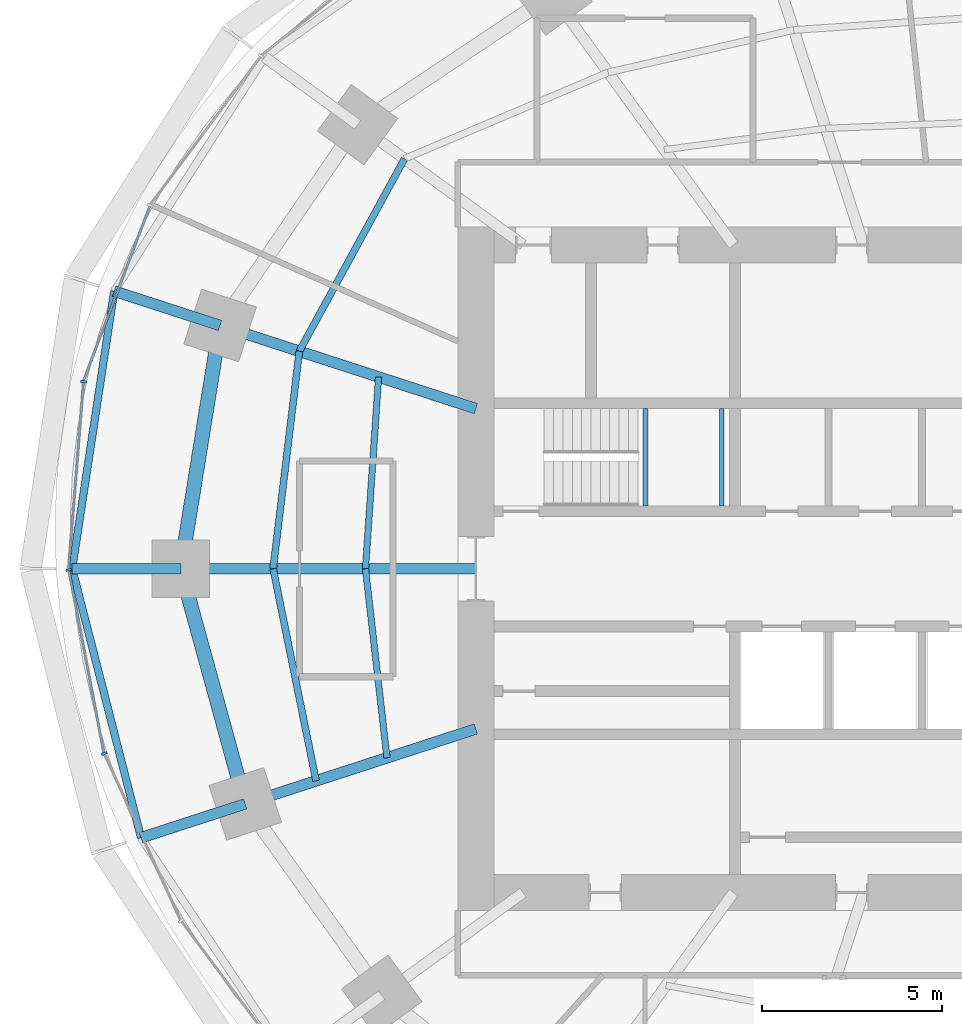
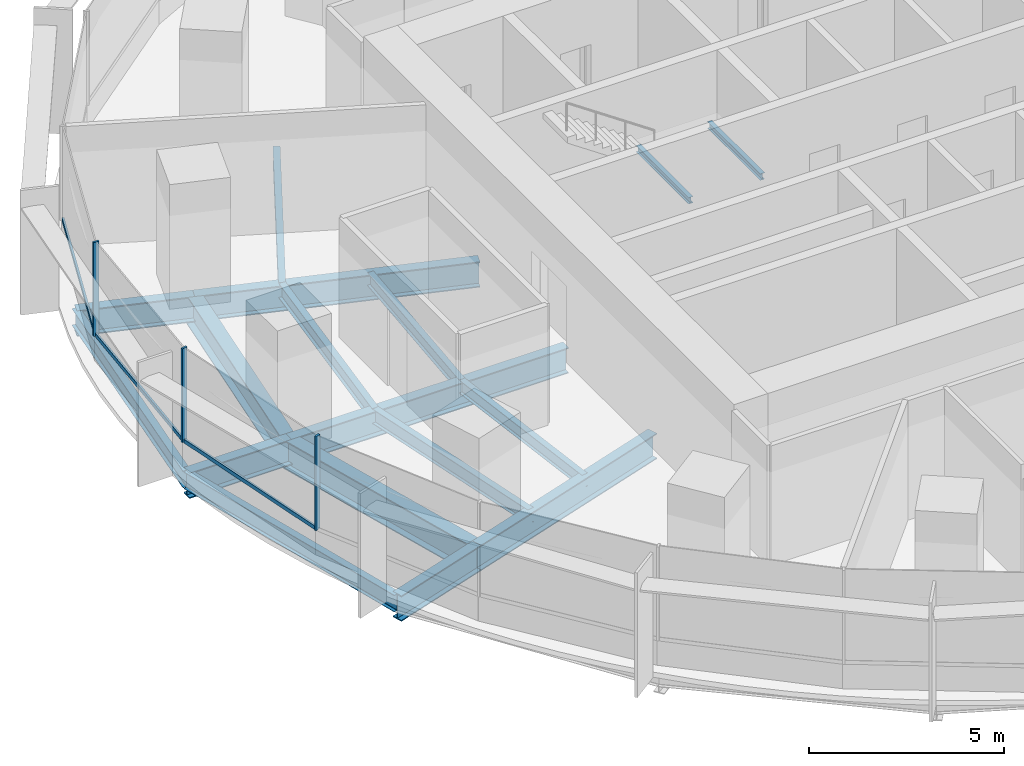
# One storey, part 4 of 14: 17 beams, 6 members, 2 elements without a shape of their own.
"""IFC4 building model written with IfcOpenShell, lengths in metres."""

from ifc_helpers import new_model, si_unit, direction, frame, origin, origin_2d, place, context, subcontext, project, spatial, rectangle, i_section, extrude, material, material_profile, profile_set, type_object, element, aggregate, save


model = new_model("IFC4")

# Units and contexts
model_context = context("Model", 3, precision=1e-05, world=origin(), true_north=direction((0.0, 1.0)))
body_context = subcontext(model_context, "Body", "Model", "MODEL_VIEW")
ifc_project = project(units=[si_unit("LENGTHUNIT", "METRE"), si_unit("AREAUNIT", "SQUARE_METRE"), si_unit("VOLUMEUNIT", "CUBIC_METRE"), si_unit("PLANEANGLEUNIT", "RADIAN"), si_unit("MASSUNIT", "GRAM", prefix="KILO")], contexts=[model_context])

# Site, building, storey
site_placement = place(None, origin())
site = spatial("IfcSite", under=ifc_project, at=site_placement, CompositionType="ELEMENT")
building_placement = place(site_placement, origin())
building = spatial("IfcBuilding", under=site, at=building_placement, Name="Marramba Exchange Tower", CompositionType="ELEMENT")
storey_placement = place(building_placement, frame((0.0, 0.0, 127.5)))
storey = spatial("IfcBuildingStorey", under=building, at=storey_placement, Name="L30", CompositionType="ELEMENT", Elevation=127.5)

# Beams
ifc_material_1 = material(Name="Steel AS/NZS 3679.2 grade 300", Category="steel")
ifc_material_profile_1 = material_profile(ifc_material_1, i_section(OverallWidth=0.300048828125, OverallDepth=0.800048828125, WebThickness=0.013916015625, FlangeThickness=0.031982421875, at=origin_2d()), Name="800WB192")
ifc_profile_set_1 = profile_set([ifc_material_profile_1], Name="Steel AS/NZS 3679.2 grade 300")
beam_type_1 = type_object("IfcBeamType", Name="Cantilever girder 800WB192", PredefinedType="BEAM", material=ifc_profile_set_1)
beam_1_placement = place(storey_placement, frame((-20.808349609375, 6.760986328125, -0.56005859375), z_axis=(-0.95104799017, 0.309043233858, 0.0), x_axis=(-0.309043233858, -0.95104799017, 0.0)))
element("IfcBeam", 1, at=beam_1_placement, inside=storey, type_object=beam_type_1, Name="Cantilever girder L30 TC10", PredefinedType="BEAM", context=body_context, shape_type="SweptSolid", body=[
    extrude(i_section(OverallWidth=0.300048828125, OverallDepth=0.800048828125, WebThickness=0.013916015625, FlangeThickness=0.031982421875, at=origin_2d()), origin(), (0.0, 0.0, 1.0), 3.0927734375),
])
beam_2_placement = place(storey_placement, frame((-21.89990234375, 0.0, -0.56005859375), z_axis=(-1.0, 0.0, 0.0), x_axis=(0.0, -1.0, 0.0)))
element("IfcBeam", 2, at=beam_2_placement, inside=storey, type_object=beam_type_1, Name="Cantilever girder L30 TC11", PredefinedType="BEAM", context=body_context, shape_type="SweptSolid", body=[
    extrude(i_section(OverallWidth=0.300048828125, OverallDepth=0.800048828125, WebThickness=0.013916015625, FlangeThickness=0.031982421875, at=origin_2d()), origin(), (0.0, 0.0, 1.0), 3.01806640625),
])
beam_3_placement = place(storey_placement, frame((-20.109375, -6.533935546875, -0.56005859375), z_axis=(-0.951070617775, -0.308973591113, 0.0), x_axis=(0.308973591113, -0.951070617775, 0.0)))
element("IfcBeam", 3, at=beam_3_placement, inside=storey, type_object=beam_type_1, Name="Cantilever girder L30 TC12", PredefinedType="BEAM", context=body_context, shape_type="SweptSolid", body=[
    extrude(i_section(OverallWidth=0.300048828125, OverallDepth=0.800048828125, WebThickness=0.013916015625, FlangeThickness=0.031982421875, at=origin_2d()), origin(), (0.0, 0.0, 1.0), 3.04296875),
])
ifc_material_2 = material(Name="Steel AS/NZS 3679.1 grade 300", Category="steel")
ifc_material_profile_2 = material_profile(ifc_material_2, i_section(OverallWidth=0.177978515625, OverallDepth=0.406005859375, WebThickness=0.0078125, FlangeThickness=0.0126953125, FilletRadius=0.011474609375, at=origin_2d()), Name="410UB59.7")
ifc_profile_set_2 = profile_set([ifc_material_profile_2], Name="Steel AS/NZS 3679.1 grade 300")
beam_type_2 = type_object("IfcBeamType", Name="Floor joist 410UB59.7", PredefinedType="JOIST", material=ifc_profile_set_2)
beam_4_placement = place(storey_placement, frame((-16.40283203125, 5.32958984375, -0.363037109375), z_axis=(-0.068096259546, -0.99767875563, 0.0), x_axis=(0.99767875563, -0.068096259546, 0.0)))
element("IfcBeam", 4, at=beam_4_placement, inside=storey, type_object=beam_type_2, Name="Joist L30 bay 10 row 1", PredefinedType="JOIST", context=body_context, shape_type="SweptSolid", body=[
    extrude(i_section(OverallWidth=0.177978515625, OverallDepth=0.406005859375, WebThickness=0.0078125, FlangeThickness=0.0126953125, FilletRadius=0.011474609375, at=origin_2d()), origin(), (0.0, 0.0, 1.0), 5.342041015625),
])
beam_5_placement = place(storey_placement, frame((-16.7666015625, 0.0, -0.363037109375), z_axis=(0.112888968594, -0.993607609054, 0.0), x_axis=(0.993607609054, 0.112888968594, 0.0)))
element("IfcBeam", 5, at=beam_5_placement, inside=storey, type_object=beam_type_2, Name="Joist L30 bay 11 row 1", PredefinedType="JOIST", context=body_context, shape_type="SweptSolid", body=[
    extrude(i_section(OverallWidth=0.177978515625, OverallDepth=0.406005859375, WebThickness=0.0078125, FlangeThickness=0.0126953125, FilletRadius=0.011474609375, at=origin_2d()), origin(), (0.0, 0.0, 1.0), 5.28759765625),
])
ifc_material_profile_3 = material_profile(ifc_material_2, i_section(OverallWidth=0.18994140625, OverallDepth=0.4541015625, WebThickness=0.008544921875, FlangeThickness=0.0126953125, FilletRadius=0.011474609375, at=origin_2d()), Name="460UB67.1")
ifc_profile_set_3 = profile_set([ifc_material_profile_3], Name="Steel AS/NZS 3679.1 grade 300")
beam_type_3 = type_object("IfcBeamType", Name="Floor joist 460UB67.1", PredefinedType="JOIST", material=ifc_profile_set_3)
beam_6_placement = place(storey_placement, frame((-15.682373046875, 11.393798828125, -0.386962890625), z_axis=(-0.479584443791, -0.877495732909, 0.0), x_axis=(0.877495732909, -0.479584443791, 0.0)))
element("IfcBeam", 6, at=beam_6_placement, inside=storey, type_object=beam_type_3, Name="Joist L30 bay 09 row 2", PredefinedType="JOIST", context=body_context, shape_type="SweptSolid", body=[
    extrude(i_section(OverallWidth=0.18994140625, OverallDepth=0.4541015625, WebThickness=0.008544921875, FlangeThickness=0.0126953125, FilletRadius=0.011474609375, at=origin_2d()), origin(), (0.0, 0.0, 1.0), 6.094970703125),
])
beam_7_placement = place(storey_placement, frame((-18.60546875, 6.04541015625, -0.386962890625), z_axis=(-0.119523078538, -0.992831422597, 0.0), x_axis=(0.992831422597, -0.119523078538, 0.0)))
element("IfcBeam", 7, at=beam_7_placement, inside=storey, type_object=beam_type_3, Name="Joist L30 bay 10 row 2", PredefinedType="JOIST", context=body_context, shape_type="SweptSolid", body=[
    extrude(i_section(OverallWidth=0.18994140625, OverallDepth=0.4541015625, WebThickness=0.008544921875, FlangeThickness=0.0126953125, FilletRadius=0.011474609375, at=origin_2d()), origin(), (0.0, 0.0, 1.0), 6.089111328125),
])
beam_8_placement = place(storey_placement, frame((-19.333251953125, 0.0, -0.386962890625), z_axis=(0.198489047047, -0.980103105904, 0.0), x_axis=(0.980103105904, 0.198489047047, 0.0)))
element("IfcBeam", 8, at=beam_8_placement, inside=storey, type_object=beam_type_3, Name="Joist L30 bay 11 row 2", PredefinedType="JOIST", context=body_context, shape_type="SweptSolid", body=[
    extrude(i_section(OverallWidth=0.18994140625, OverallDepth=0.4541015625, WebThickness=0.008544921875, FlangeThickness=0.0126953125, FilletRadius=0.011474609375, at=origin_2d()), origin(), (0.0, 0.0, 1.0), 6.013427734375),
])

# Curtain wall, member
ifc_material_3 = material(Name="Aluminium framing, bronze anodised", Category="aluminium")
curtain_wall_type = type_object("IfcCurtainWallType", Name="Office ribbon curtain wall", PredefinedType="USERDEFINED", material=ifc_material_3)
curtain_wall_1_placement = place(storey_placement, origin())
curtain_wall_1 = element("IfcCurtainWall", 9, at=curtain_wall_1_placement, inside=storey, type_object=curtain_wall_type, Name="Curtain wall CW4 L30 F11-F15", ObjectType="RIBBON CURTAIN WALL", PredefinedType="USERDEFINED")
ifc_material_4 = material(Name="Aluminium mullion, bronze anodised", Category="aluminium")
ifc_material_profile_4 = material_profile(ifc_material_4, rectangle(XDim=0.159912109375, YDim=0.06005859375, at=origin_2d()), Name="CW4 mullion 60x160")
ifc_profile_set_4 = profile_set([ifc_material_profile_4], Name="Aluminium mullion, bronze anodised")
member_type_1 = type_object("IfcMemberType", Name="Office ribbon curtain wall mullion", PredefinedType="MULLION", material=ifc_profile_set_4)
member_1_placement = place(storey_placement, frame((-24.603515625, 5.19921875, 0.800048828125), z_axis=(0.0, 0.0, 1.0), x_axis=(0.996838079455, -0.079459696383, 0.0)))
member_1 = element("IfcMember", 10, at=member_1_placement, type_object=member_type_1, Name="CW4 mullion 1", PredefinedType="MULLION", context=body_context, shape_type="SweptSolid", body=[
    extrude(rectangle(XDim=0.159912109375, YDim=0.06005859375, at=origin_2d()), origin(), (0.0, 0.0, 1.0), 2.93994140625),
])

# Curtain wall, members
curtain_wall_2_placement = place(storey_placement, origin())
curtain_wall_2 = element("IfcCurtainWall", 11, at=curtain_wall_2_placement, inside=storey, type_object=curtain_wall_type, Name="Curtain wall CW4 L30 F16-F20", ObjectType="RIBBON CURTAIN WALL", PredefinedType="USERDEFINED")
member_2_placement = place(storey_placement, frame((-25.012451171875, -0.029541015625, 0.800048828125), z_axis=(0.0, 0.0, 1.0), x_axis=(0.982125509078, 0.18822721487, 0.0)))
member_2 = element("IfcMember", 12, at=member_2_placement, type_object=member_type_1, Name="CW4 mullion 1", PredefinedType="MULLION", context=body_context, shape_type="SweptSolid", body=[
    extrude(rectangle(XDim=0.159912109375, YDim=0.06005859375, at=origin_2d()), origin(), (0.0, 0.0, 1.0), 2.93994140625),
])
member_3_placement = place(storey_placement, frame((-24.026123046875, -5.136962890625, 0.800048828125), z_axis=(0.0, 0.0, 1.0), x_axis=(0.909026713177, 0.416737848929, 0.0)))
member_3 = element("IfcMember", 13, at=member_3_placement, type_object=member_type_1, Name="CW4 mullion 1", PredefinedType="MULLION", context=body_context, shape_type="SweptSolid", body=[
    extrude(rectangle(XDim=0.159912109375, YDim=0.06005859375, at=origin_2d()), origin(), (0.0, 0.0, 1.0), 2.93994140625),
])

# Member
ifc_material_5 = material(Name="Aluminium transom, bronze anodised", Category="aluminium")
ifc_material_profile_5 = material_profile(ifc_material_5, rectangle(XDim=0.06005859375, YDim=0.1201171875, at=origin_2d()), Name="CW4 transom 60x120")
ifc_profile_set_5 = profile_set([ifc_material_profile_5], Name="Aluminium transom, bronze anodised")
member_type_2 = type_object("IfcMemberType", Name="Office ribbon curtain wall transom", PredefinedType="USERDEFINED", material=ifc_profile_set_5)
member_4_placement = place(storey_placement, frame((-22.763916015625, 10.069580078125, 0.830078125), z_axis=(-0.354851822252, -0.934922555212, 0.0), x_axis=(0.934922555212, -0.354851822252, 0.0)))
member_4 = element("IfcMember", 14, at=member_4_placement, type_object=member_type_2, Name="CW4 sill transom", ObjectType="TRANSOM", PredefinedType="USERDEFINED", context=body_context, shape_type="SweptSolid", body=[
    extrude(rectangle(XDim=0.06005859375, YDim=0.1201171875, at=origin_2d()), origin(), (0.0, 0.0, 1.0), 5.17724609375),
])

member_5_placement = place(storey_placement, frame((-24.60595703125, 5.16943359375, 0.830078125), z_axis=(-0.07946828762, -0.996837394595, 0.0), x_axis=(0.996837394595, -0.07946828762, 0.0)))
member_5 = element("IfcMember", 15, at=member_5_placement, type_object=member_type_2, Name="CW4 sill transom", ObjectType="TRANSOM", PredefinedType="USERDEFINED", context=body_context, shape_type="SweptSolid", body=[
    extrude(rectangle(XDim=0.06005859375, YDim=0.1201171875, at=origin_2d()), origin(), (0.0, 0.0, 1.0), 5.185791015625),
])

aggregate(curtain_wall_1, [member_4, member_1, member_5])

member_6_placement = place(storey_placement, frame((-25.006591796875, -0.058837890625, 0.830078125), z_axis=(0.188185293992, -0.982133542409, 0.0), x_axis=(0.982133542409, 0.188185293992, 0.0)))
member_6 = element("IfcMember", 16, at=member_6_placement, type_object=member_type_2, Name="CW4 sill transom", ObjectType="TRANSOM", PredefinedType="USERDEFINED", context=body_context, shape_type="SweptSolid", body=[
    extrude(rectangle(XDim=0.06005859375, YDim=0.1201171875, at=origin_2d()), origin(), (0.0, 0.0, 1.0), 5.142578125),
])

aggregate(curtain_wall_2, [member_2, member_6, member_3])

# Beams
ifc_material_profile_6 = material_profile(ifc_material_1, i_section(OverallWidth=0.300048828125, OverallDepth=0.800048828125, WebThickness=0.013916015625, FlangeThickness=0.031982421875, at=origin_2d()), Name="800WB192")
ifc_profile_set_6 = profile_set([ifc_material_profile_6], Name="Steel AS/NZS 3679.2 grade 300")
beam_type_4 = type_object("IfcBeamType", Name="Radial girder 800WB192", PredefinedType="BEAM", material=ifc_profile_set_6)
beam_9_placement = place(storey_placement, frame((-13.699951171875, 4.451416015625, -0.56005859375), z_axis=(-0.951059990189, 0.309006302624, 0.0), x_axis=(-0.309006302624, -0.951059990189, 0.0)))
element("IfcBeam", 17, at=beam_9_placement, inside=storey, type_object=beam_type_4, Name="Radial girder L30 TC10", PredefinedType="BEAM", context=body_context, shape_type="SweptSolid", body=[
    extrude(i_section(OverallWidth=0.300048828125, OverallDepth=0.800048828125, WebThickness=0.013916015625, FlangeThickness=0.031982421875, at=origin_2d()), origin(), (0.0, 0.0, 1.0), 7.47412109375),
])
beam_10_placement = place(storey_placement, frame((-13.699951171875, 0.0, -0.56005859375), z_axis=(-1.0, 0.0, 0.0), x_axis=(0.0, -1.0, 0.0)))
element("IfcBeam", 18, at=beam_10_placement, inside=storey, type_object=beam_type_4, Name="Radial girder L30 TC11", PredefinedType="BEAM", context=body_context, shape_type="SweptSolid", body=[
    extrude(i_section(OverallWidth=0.300048828125, OverallDepth=0.800048828125, WebThickness=0.013916015625, FlangeThickness=0.031982421875, at=origin_2d()), origin(), (0.0, 0.0, 1.0), 8.199951171875),
])
beam_11_placement = place(storey_placement, frame((-13.699951171875, -4.451416015625, -0.56005859375), z_axis=(-0.951057759669, -0.309013167637, 0.0), x_axis=(0.309013167637, -0.951057759669, 0.0)))
element("IfcBeam", 19, at=beam_11_placement, inside=storey, type_object=beam_type_4, Name="Radial girder L30 TC12", PredefinedType="BEAM", context=body_context, shape_type="SweptSolid", body=[
    extrude(i_section(OverallWidth=0.300048828125, OverallDepth=0.800048828125, WebThickness=0.013916015625, FlangeThickness=0.031982421875, at=origin_2d()), origin(), (0.0, 0.0, 1.0), 6.7392578125),
])
ifc_material_profile_7 = material_profile(ifc_material_1, i_section(OverallWidth=0.39990234375, OverallDepth=0.89990234375, WebThickness=0.01611328125, FlangeThickness=0.031982421875, at=origin_2d()), Name="900WB282")
ifc_profile_set_7 = profile_set([ifc_material_profile_7], Name="Steel AS/NZS 3679.2 grade 300")
beam_type_5 = type_object("IfcBeamType", Name="Ring beam 900WB282", PredefinedType="SPANDREL", material=ifc_profile_set_7)
beam_12_placement = place(storey_placement, frame((-20.808349609375, 6.760986328125, -0.610107421875), z_axis=(-0.159384865399, -0.987216523708, 0.0), x_axis=(0.987216523708, -0.159384865399, 0.0)))
element("IfcBeam", 20, at=beam_12_placement, inside=storey, type_object=beam_type_5, Name="Ring beam L30 TC10-TC11", PredefinedType="SPANDREL", context=body_context, shape_type="SweptSolid", body=[
    extrude(i_section(OverallWidth=0.39990234375, OverallDepth=0.89990234375, WebThickness=0.01611328125, FlangeThickness=0.031982421875, at=origin_2d()), origin(), (0.0, 0.0, 1.0), 6.8486328125),
])
beam_13_placement = place(storey_placement, frame((-21.89990234375, 0.0, -0.610107421875), z_axis=(0.264291166956, -0.964442937176, 0.0), x_axis=(0.964442937176, 0.264291166956, 0.0)))
element("IfcBeam", 21, at=beam_13_placement, inside=storey, type_object=beam_type_5, Name="Ring beam L30 TC11-TC12", PredefinedType="SPANDREL", context=body_context, shape_type="SweptSolid", body=[
    extrude(i_section(OverallWidth=0.39990234375, OverallDepth=0.89990234375, WebThickness=0.01611328125, FlangeThickness=0.031982421875, at=origin_2d()), origin(), (0.0, 0.0, 1.0), 6.77490234375),
])
ifc_material_profile_8 = material_profile(ifc_material_2, i_section(OverallWidth=0.208984375, OverallDepth=0.528076171875, WebThickness=0.009521484375, FlangeThickness=0.01318359375, FilletRadius=0.013916015625, at=origin_2d()), Name="530UB82.0")
ifc_profile_set_8 = profile_set([ifc_material_profile_8], Name="Steel AS/NZS 3679.1 grade 300")
beam_type_6 = type_object("IfcBeamType", Name="Slab edge beam 530UB82.0", PredefinedType="SPANDREL", material=ifc_profile_set_8)
beam_14_placement = place(storey_placement, frame((-23.749755859375, 7.716796875, -0.424072265625), z_axis=(-0.149680281727, -0.988734450326, 0.0), x_axis=(0.988734450326, -0.149680281727, 0.0)))
element("IfcBeam", 22, at=beam_14_placement, inside=storey, type_object=beam_type_6, Name="Slab edge beam L30 TC10-TC11", PredefinedType="SPANDREL", context=body_context, shape_type="SweptSolid", body=[
    extrude(i_section(OverallWidth=0.208984375, OverallDepth=0.528076171875, WebThickness=0.009521484375, FlangeThickness=0.01318359375, FilletRadius=0.013916015625, at=origin_2d()), origin(), (0.0, 0.0, 1.0), 7.8046875),
])
beam_15_placement = place(storey_placement, frame((-24.91796875, 0.0, -0.424072265625), z_axis=(0.248145427917, -0.968722791413, 0.0), x_axis=(0.968722791413, 0.248145427917, 0.0)))
element("IfcBeam", 23, at=beam_15_placement, inside=storey, type_object=beam_type_6, Name="Slab edge beam L30 TC11-TC12", PredefinedType="SPANDREL", context=body_context, shape_type="SweptSolid", body=[
    extrude(i_section(OverallWidth=0.208984375, OverallDepth=0.528076171875, WebThickness=0.009521484375, FlangeThickness=0.01318359375, FilletRadius=0.013916015625, at=origin_2d()), origin(), (0.0, 0.0, 1.0), 7.71533203125),
])
ifc_material_profile_9 = material_profile(ifc_material_2, i_section(OverallWidth=0.133056640625, OverallDepth=0.202880859375, WebThickness=0.005859375, FlangeThickness=0.0078125, FilletRadius=0.0087890625, at=origin_2d()), Name="200UB25.4")
ifc_profile_set_9 = profile_set([ifc_material_profile_9], Name="Steel AS/NZS 3679.1 grade 300")
beam_type_7 = type_object("IfcBeamType", Name="Stair landing beam 200UB25.4", PredefinedType="BEAM", material=ifc_profile_set_9)
for number, where, z_axis, x_axis, name in (
    (24, (-8.9833984375, 1.75, 1.6484375), (0.0, 1.0, 0.0), (-1.0, 0.0, 0.0), "Stair landing beam SLB1 ST1 L30 1"),
    (25, (-6.866455078125, 1.75, 1.6484375), (0.0, 1.0, 0.0), (-1.0, 0.0, 0.0), "Stair landing beam SLB1 ST1 L30 2"),
):
    element("IfcBeam", number, at=place(storey_placement, frame(where, z_axis=z_axis, x_axis=x_axis)), inside=storey, type_object=beam_type_7, Name=name, PredefinedType="BEAM", context=body_context, shape_type="SweptSolid", body=[
        extrude(i_section(OverallWidth=0.133056640625, OverallDepth=0.202880859375, WebThickness=0.005859375, FlangeThickness=0.0078125, FilletRadius=0.0087890625, at=origin_2d()), origin(), (0.0, 0.0, 1.0), 2.699951171875),
    ])

save(model, "model.ifc")
